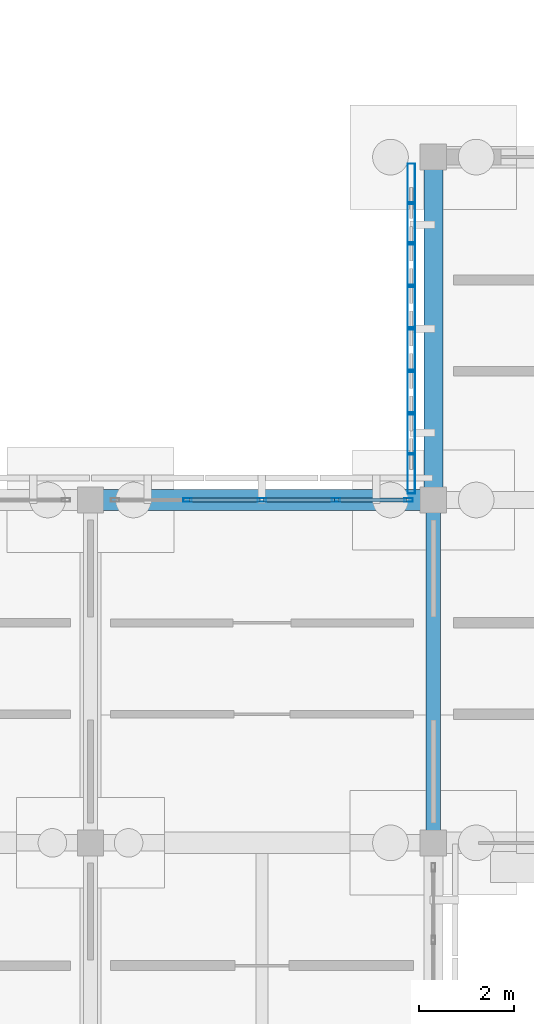
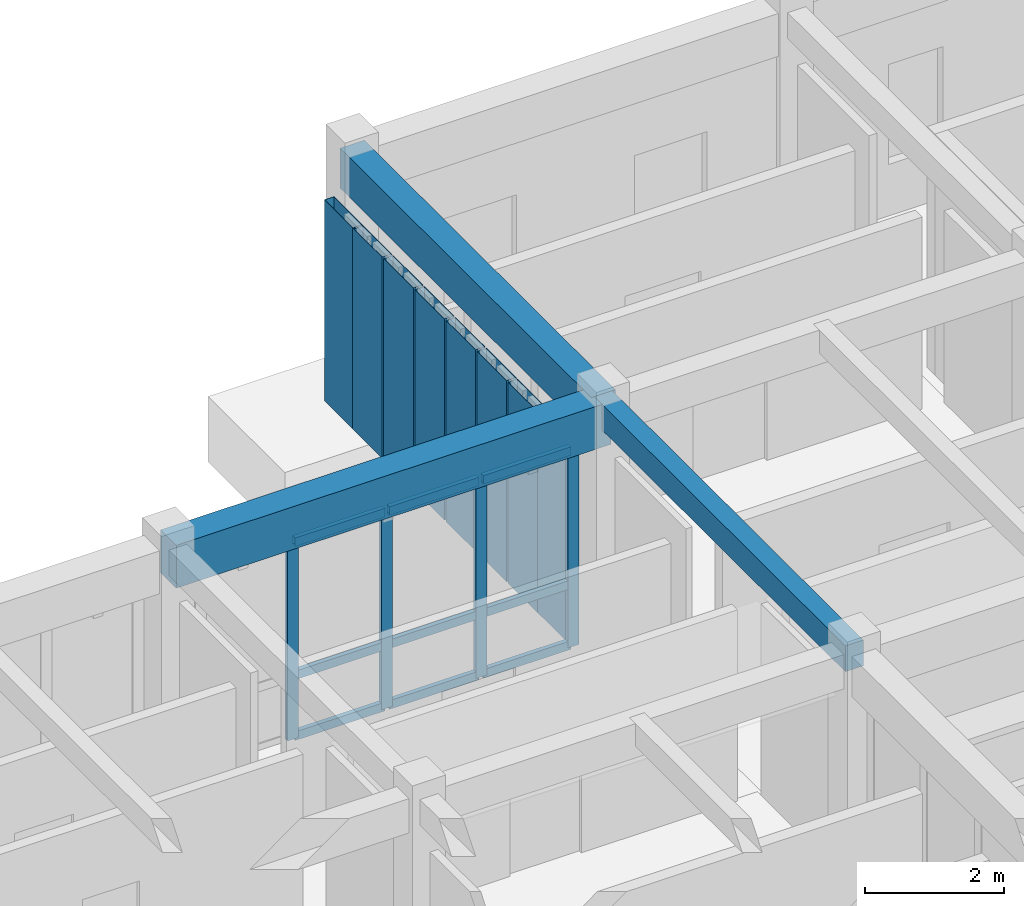
# One storey, part 35 of 111: 21 members, 3 beams, 2 elements without a shape of their own.
"""IFC4 building model written with IfcOpenShell, lengths in metres."""

from ifc_helpers import new_model, si_unit, direction, frame, origin, origin_2d, place, context, subcontext, project, spatial, rectangle, hollow_rectangle, extrude, material, material_profile, profile_set, type_object, element, aggregate, save


model = new_model("IFC4")

# Units and contexts
model_context = context("Model", 3, precision=1e-05, world=origin(), true_north=direction((0.0, 1.0)))
body_context = subcontext(model_context, "Body", "Model", "MODEL_VIEW")
ifc_project = project(units=[si_unit("LENGTHUNIT", "METRE"), si_unit("AREAUNIT", "SQUARE_METRE"), si_unit("VOLUMEUNIT", "CUBIC_METRE"), si_unit("PLANEANGLEUNIT", "RADIAN"), si_unit("MASSUNIT", "GRAM", prefix="KILO")], contexts=[model_context])

# Site, building, storey
site_placement = place(None, origin())
site = spatial("IfcSite", under=ifc_project, at=site_placement, CompositionType="ELEMENT")
building_placement = place(site_placement, origin())
building = spatial("IfcBuilding", under=site, at=building_placement, Name="Aldebral Square Health Centre", CompositionType="ELEMENT")
storey_placement = place(building_placement, origin())
storey = spatial("IfcBuildingStorey", under=building, at=storey_placement, Name="L00", CompositionType="ELEMENT", Elevation=0.0)

# Beams
ifc_material_1 = material(Name="Concrete C40/50", Category="concrete")
ifc_material_profile_1 = material_profile(ifc_material_1, rectangle(XDim=0.300048828125, YDim=0.449951171875, at=origin_2d()), Name="RC 300x450")
ifc_profile_set_1 = profile_set([ifc_material_profile_1], Name="Concrete C40/50")
beam_type_1 = type_object("IfcBeamType", Name="BM-B5", PredefinedType="BEAM", material=ifc_profile_set_1)
beam_1_placement = place(storey_placement, frame((108.0, 93.60009765625, 3.9951171875), z_axis=(0.0, 1.0, 0.0), x_axis=(-1.0, 0.0, 0.0)))
element("IfcBeam", 1, at=beam_1_placement, inside=storey, type_object=beam_type_1, Name="L00 Y-beam G16/14-15", PredefinedType="BEAM", context=body_context, shape_type="SweptSolid", body=[
    extrude(rectangle(XDim=0.300048828125, YDim=0.449951171875, at=origin_2d()), origin(), (0.0, 0.0, 1.0), 7.199951171875),
])
ifc_material_profile_2 = material_profile(ifc_material_1, rectangle(XDim=0.449951171875, YDim=0.75, at=origin_2d()), Name="RC 450x750")
ifc_profile_set_2 = profile_set([ifc_material_profile_2], Name="Concrete C40/50")
beam_type_2 = type_object("IfcBeamType", Name="BM-G2", PredefinedType="T_BEAM", material=ifc_profile_set_2)
beam_2_placement = place(storey_placement, frame((100.800048828125, 100.800048828125, 3.844970703125), z_axis=(1.0, 0.0, 0.0), x_axis=(0.0, 1.0, 0.0)))
element("IfcBeam", 2, at=beam_2_placement, inside=storey, type_object=beam_type_2, Name="L00 X-beam 15-16/G15", PredefinedType="T_BEAM", context=body_context, shape_type="SweptSolid", body=[
    extrude(rectangle(XDim=0.449951171875, YDim=0.75, at=origin_2d()), origin(), (0.0, 0.0, 1.0), 7.199951171875),
])
ifc_material_profile_3 = material_profile(ifc_material_1, rectangle(XDim=0.39990234375, YDim=0.699951171875, at=origin_2d()), Name="RC 400x700")
ifc_profile_set_3 = profile_set([ifc_material_profile_3], Name="Concrete C40/50")
beam_type_3 = type_object("IfcBeamType", Name="BM-G3", PredefinedType="T_BEAM", material=ifc_profile_set_3)
beam_3_placement = place(storey_placement, frame((108.0, 100.800048828125, 3.8701171875), z_axis=(0.0, 1.0, 0.0), x_axis=(-1.0, 0.0, 0.0)))
element("IfcBeam", 3, at=beam_3_placement, inside=storey, type_object=beam_type_3, Name="L00 Y-beam G16/15-16", PredefinedType="T_BEAM", context=body_context, shape_type="SweptSolid", body=[
    extrude(rectangle(XDim=0.39990234375, YDim=0.699951171875, at=origin_2d()), origin(), (0.0, 0.0, 1.0), 7.199951171875),
])

# Curtain wall, members
ifc_material_2 = material(Name="Aluminium and low-E solar glass", Category="aluminium")
curtain_wall_type_1 = type_object("IfcCurtainWallType", Name="CW-FIN-SYS", PredefinedType="USERDEFINED", material=ifc_material_2)
curtain_wall_1_placement = place(storey_placement, origin())
curtain_wall_1 = element("IfcCurtainWall", 4, at=curtain_wall_1_placement, inside=storey, type_object=curtain_wall_type_1, Name="L00 V5 finned curtain wall L00-V5-15-14-W", ObjectType="SOLAR_CURTAIN_WALL", PredefinedType="USERDEFINED")
ifc_material_3 = material(Name="Sienna-terracotta clad aluminium fin", Category="masonry")
ifc_material_profile_4 = material_profile(ifc_material_3, hollow_rectangle(XDim=0.159912109375, YDim=0.85009765625, WallThickness=0.006103515625, at=origin_2d()), Name="FIN 160x850x6")
ifc_profile_set_4 = profile_set([ifc_material_profile_4], Name="Sienna-terracotta clad aluminium fin")
member_type_1 = type_object("IfcMemberType", Name="CWM-FIN", PredefinedType="MULLION", material=ifc_profile_set_4)
member_1_placement = place(storey_placement, frame((107.5400390625, 107.43994140625, 0.0), z_axis=(0.0, 0.0, 1.0), x_axis=(1.0, 0.0, 0.0)))
member_1 = element("IfcMember", 5, at=member_1_placement, type_object=member_type_1, Name="CW1 mullion 1", PredefinedType="MULLION", context=body_context, shape_type="SweptSolid", body=[
    extrude(hollow_rectangle(XDim=0.159912109375, YDim=0.85009765625, WallThickness=0.006103515625, at=origin_2d()), origin(), (0.0, 0.0, 1.0), 3.52001953125),
])
member_2_placement = place(storey_placement, frame((107.5400390625, 106.628662109375, 0.0), z_axis=(0.0, 0.0, 1.0), x_axis=(1.0, 0.0, 0.0)))
member_2 = element("IfcMember", 6, at=member_2_placement, type_object=member_type_1, Name="CW1 mullion 2", PredefinedType="MULLION", context=body_context, shape_type="SweptSolid", body=[
    extrude(hollow_rectangle(XDim=0.159912109375, YDim=0.85009765625, WallThickness=0.006103515625, at=origin_2d()), origin(), (0.0, 0.0, 1.0), 3.52001953125),
])
member_3_placement = place(storey_placement, frame((107.5400390625, 105.737060546875, 0.0), z_axis=(0.0, 0.0, 1.0), x_axis=(1.0, 0.0, 0.0)))
member_3 = element("IfcMember", 7, at=member_3_placement, type_object=member_type_1, Name="CW1 mullion 3", PredefinedType="MULLION", context=body_context, shape_type="SweptSolid", body=[
    extrude(hollow_rectangle(XDim=0.159912109375, YDim=0.85009765625, WallThickness=0.006103515625, at=origin_2d()), origin(), (0.0, 0.0, 1.0), 3.52001953125),
])
member_4_placement = place(storey_placement, frame((107.5400390625, 104.845703125, 0.0), z_axis=(0.0, 0.0, 1.0), x_axis=(1.0, 0.0, 0.0)))
member_4 = element("IfcMember", 8, at=member_4_placement, type_object=member_type_1, Name="CW1 mullion 4", PredefinedType="MULLION", context=body_context, shape_type="SweptSolid", body=[
    extrude(hollow_rectangle(XDim=0.159912109375, YDim=0.85009765625, WallThickness=0.006103515625, at=origin_2d()), origin(), (0.0, 0.0, 1.0), 3.52001953125),
])
member_5_placement = place(storey_placement, frame((107.5400390625, 103.954345703125, 0.0), z_axis=(0.0, 0.0, 1.0), x_axis=(1.0, 0.0, 0.0)))
member_5 = element("IfcMember", 9, at=member_5_placement, type_object=member_type_1, Name="CW1 mullion 5", PredefinedType="MULLION", context=body_context, shape_type="SweptSolid", body=[
    extrude(hollow_rectangle(XDim=0.159912109375, YDim=0.85009765625, WallThickness=0.006103515625, at=origin_2d()), origin(), (0.0, 0.0, 1.0), 3.52001953125),
])
member_6_placement = place(storey_placement, frame((107.5400390625, 103.062744140625, 0.0), z_axis=(0.0, 0.0, 1.0), x_axis=(1.0, 0.0, 0.0)))
member_6 = element("IfcMember", 10, at=member_6_placement, type_object=member_type_1, Name="CW1 mullion 6", PredefinedType="MULLION", context=body_context, shape_type="SweptSolid", body=[
    extrude(hollow_rectangle(XDim=0.159912109375, YDim=0.85009765625, WallThickness=0.006103515625, at=origin_2d()), origin(), (0.0, 0.0, 1.0), 3.52001953125),
])
member_7_placement = place(storey_placement, frame((107.5400390625, 102.17138671875, 0.0), z_axis=(0.0, 0.0, 1.0), x_axis=(1.0, 0.0, 0.0)))
member_7 = element("IfcMember", 11, at=member_7_placement, type_object=member_type_1, Name="CW1 mullion 7", PredefinedType="MULLION", context=body_context, shape_type="SweptSolid", body=[
    extrude(hollow_rectangle(XDim=0.159912109375, YDim=0.85009765625, WallThickness=0.006103515625, at=origin_2d()), origin(), (0.0, 0.0, 1.0), 3.52001953125),
])
member_8_placement = place(storey_placement, frame((107.5400390625, 101.360107421875, 0.0), z_axis=(0.0, 0.0, 1.0), x_axis=(1.0, 0.0, 0.0)))
member_8 = element("IfcMember", 12, at=member_8_placement, type_object=member_type_1, Name="CW1 mullion 8", PredefinedType="MULLION", context=body_context, shape_type="SweptSolid", body=[
    extrude(hollow_rectangle(XDim=0.159912109375, YDim=0.85009765625, WallThickness=0.006103515625, at=origin_2d()), origin(), (0.0, 0.0, 1.0), 3.52001953125),
])
aggregate(curtain_wall_1, [member_1, member_2, member_3, member_4, member_5, member_6, member_7, member_8])

curtain_wall_type_2 = type_object("IfcCurtainWallType", Name="CW-HALL-SYS", PredefinedType="USERDEFINED", material=ifc_material_2)
curtain_wall_2_placement = place(storey_placement, origin())
curtain_wall_2 = element("IfcCurtainWall", 13, at=curtain_wall_2_placement, inside=storey, type_object=curtain_wall_type_2, Name="L00 V1 hall curtain wall L00-V1-14-13-N", ObjectType="HALL_CURTAIN_WALL", PredefinedType="USERDEFINED")
ifc_material_4 = material(Name="Anodised aluminium mullion", Category="aluminium")
ifc_material_profile_5 = material_profile(ifc_material_4, hollow_rectangle(XDim=0.074951171875, YDim=0.179931640625, WallThickness=0.00390625, at=origin_2d()), Name="CWM 75x180x4")
ifc_profile_set_5 = profile_set([ifc_material_profile_5], Name="Anodised aluminium mullion")
member_type_2 = type_object("IfcMemberType", Name="CWM-STD", PredefinedType="MULLION", material=ifc_profile_set_5)
member_9_placement = place(storey_placement, frame((107.482421875, 100.800048828125, 0.0), z_axis=(0.0, 0.0, 1.0), x_axis=(0.0, -1.0, 0.0)))
member_9 = element("IfcMember", 14, at=member_9_placement, type_object=member_type_2, Name="CW2 mullion 1", PredefinedType="MULLION", context=body_context, shape_type="SweptSolid", body=[
    extrude(hollow_rectangle(XDim=0.074951171875, YDim=0.179931640625, WallThickness=0.00390625, at=origin_2d()), origin(), (0.0, 0.0, 1.0), 3.469970703125),
])
member_10_placement = place(storey_placement, frame((105.9599609375, 100.800048828125, 0.0), z_axis=(0.0, 0.0, 1.0), x_axis=(0.0, -1.0, 0.0)))
member_10 = element("IfcMember", 15, at=member_10_placement, type_object=member_type_2, Name="CW2 mullion 2", PredefinedType="MULLION", context=body_context, shape_type="SweptSolid", body=[
    extrude(hollow_rectangle(XDim=0.074951171875, YDim=0.179931640625, WallThickness=0.00390625, at=origin_2d()), origin(), (0.0, 0.0, 1.0), 3.469970703125),
])
member_11_placement = place(storey_placement, frame((104.39990234375, 100.800048828125, 0.0), z_axis=(0.0, 0.0, 1.0), x_axis=(0.0, -1.0, 0.0)))
member_11 = element("IfcMember", 16, at=member_11_placement, type_object=member_type_2, Name="CW2 mullion 3", PredefinedType="MULLION", context=body_context, shape_type="SweptSolid", body=[
    extrude(hollow_rectangle(XDim=0.074951171875, YDim=0.179931640625, WallThickness=0.00390625, at=origin_2d()), origin(), (0.0, 0.0, 1.0), 3.469970703125),
])
member_12_placement = place(storey_placement, frame((102.840087890625, 100.800048828125, 0.0), z_axis=(0.0, 0.0, 1.0), x_axis=(0.0, -1.0, 0.0)))
member_12 = element("IfcMember", 17, at=member_12_placement, type_object=member_type_2, Name="CW2 mullion 4", PredefinedType="MULLION", context=body_context, shape_type="SweptSolid", body=[
    extrude(hollow_rectangle(XDim=0.074951171875, YDim=0.179931640625, WallThickness=0.00390625, at=origin_2d()), origin(), (0.0, 0.0, 1.0), 3.469970703125),
])
ifc_material_5 = material(Name="Anodised aluminium transom", Category="aluminium")
ifc_material_profile_6 = material_profile(ifc_material_5, hollow_rectangle(XDim=0.074951171875, YDim=0.14990234375, WallThickness=0.00390625, at=origin_2d()), Name="CWT 75x150x4")
ifc_profile_set_6 = profile_set([ifc_material_profile_6], Name="Anodised aluminium transom")
member_type_3 = type_object("IfcMemberType", Name="CWT-STD", PredefinedType="USERDEFINED", material=ifc_profile_set_6)
member_13_placement = place(storey_placement, frame((107.445068359375, 100.800048828125, 0.03759765625), z_axis=(-1.0, 0.0, 0.0), x_axis=(0.0, -1.0, 0.0)))
member_13 = element("IfcMember", 18, at=member_13_placement, type_object=member_type_3, Name="CW2 transom 1.1", ObjectType="TRANSOM", PredefinedType="USERDEFINED", context=body_context, shape_type="SweptSolid", body=[
    extrude(hollow_rectangle(XDim=0.074951171875, YDim=0.14990234375, WallThickness=0.00390625, at=origin_2d()), origin(), (0.0, 0.0, 1.0), 1.447509765625),
])
member_14_placement = place(storey_placement, frame((107.445068359375, 100.800048828125, 1.10009765625), z_axis=(-1.0, 0.0, 0.0), x_axis=(0.0, -1.0, 0.0)))
member_14 = element("IfcMember", 19, at=member_14_placement, type_object=member_type_3, Name="CW2 transom 1.2", ObjectType="TRANSOM", PredefinedType="USERDEFINED", context=body_context, shape_type="SweptSolid", body=[
    extrude(hollow_rectangle(XDim=0.074951171875, YDim=0.14990234375, WallThickness=0.00390625, at=origin_2d()), origin(), (0.0, 0.0, 1.0), 1.447509765625),
])
member_15_placement = place(storey_placement, frame((107.445068359375, 100.800048828125, 3.4326171875), z_axis=(-1.0, 0.0, 0.0), x_axis=(0.0, -1.0, 0.0)))
member_15 = element("IfcMember", 20, at=member_15_placement, type_object=member_type_3, Name="CW2 transom 1.3", ObjectType="TRANSOM", PredefinedType="USERDEFINED", context=body_context, shape_type="SweptSolid", body=[
    extrude(hollow_rectangle(XDim=0.074951171875, YDim=0.14990234375, WallThickness=0.00390625, at=origin_2d()), origin(), (0.0, 0.0, 1.0), 1.447509765625),
])
member_16_placement = place(storey_placement, frame((105.922607421875, 100.800048828125, 0.03759765625), z_axis=(-1.0, 0.0, 0.0), x_axis=(0.0, -1.0, 0.0)))
member_16 = element("IfcMember", 21, at=member_16_placement, type_object=member_type_3, Name="CW2 transom 2.1", ObjectType="TRANSOM", PredefinedType="USERDEFINED", context=body_context, shape_type="SweptSolid", body=[
    extrude(hollow_rectangle(XDim=0.074951171875, YDim=0.14990234375, WallThickness=0.00390625, at=origin_2d()), origin(), (0.0, 0.0, 1.0), 1.485107421875),
])
member_17_placement = place(storey_placement, frame((105.922607421875, 100.800048828125, 1.10009765625), z_axis=(-1.0, 0.0, 0.0), x_axis=(0.0, -1.0, 0.0)))
member_17 = element("IfcMember", 22, at=member_17_placement, type_object=member_type_3, Name="CW2 transom 2.2", ObjectType="TRANSOM", PredefinedType="USERDEFINED", context=body_context, shape_type="SweptSolid", body=[
    extrude(hollow_rectangle(XDim=0.074951171875, YDim=0.14990234375, WallThickness=0.00390625, at=origin_2d()), origin(), (0.0, 0.0, 1.0), 1.485107421875),
])
member_18_placement = place(storey_placement, frame((105.922607421875, 100.800048828125, 3.4326171875), z_axis=(-1.0, 0.0, 0.0), x_axis=(0.0, -1.0, 0.0)))
member_18 = element("IfcMember", 23, at=member_18_placement, type_object=member_type_3, Name="CW2 transom 2.3", ObjectType="TRANSOM", PredefinedType="USERDEFINED", context=body_context, shape_type="SweptSolid", body=[
    extrude(hollow_rectangle(XDim=0.074951171875, YDim=0.14990234375, WallThickness=0.00390625, at=origin_2d()), origin(), (0.0, 0.0, 1.0), 1.485107421875),
])
member_19_placement = place(storey_placement, frame((104.362548828125, 100.800048828125, 0.03759765625), z_axis=(-1.0, 0.0, 0.0), x_axis=(0.0, -1.0, 0.0)))
member_19 = element("IfcMember", 24, at=member_19_placement, type_object=member_type_3, Name="CW2 transom 3.1", ObjectType="TRANSOM", PredefinedType="USERDEFINED", context=body_context, shape_type="SweptSolid", body=[
    extrude(hollow_rectangle(XDim=0.074951171875, YDim=0.14990234375, WallThickness=0.00390625, at=origin_2d()), origin(), (0.0, 0.0, 1.0), 1.485107421875),
])
member_20_placement = place(storey_placement, frame((104.362548828125, 100.800048828125, 1.10009765625), z_axis=(-1.0, 0.0, 0.0), x_axis=(0.0, -1.0, 0.0)))
member_20 = element("IfcMember", 25, at=member_20_placement, type_object=member_type_3, Name="CW2 transom 3.2", ObjectType="TRANSOM", PredefinedType="USERDEFINED", context=body_context, shape_type="SweptSolid", body=[
    extrude(hollow_rectangle(XDim=0.074951171875, YDim=0.14990234375, WallThickness=0.00390625, at=origin_2d()), origin(), (0.0, 0.0, 1.0), 1.485107421875),
])
member_21_placement = place(storey_placement, frame((104.362548828125, 100.800048828125, 3.4326171875), z_axis=(-1.0, 0.0, 0.0), x_axis=(0.0, -1.0, 0.0)))
member_21 = element("IfcMember", 26, at=member_21_placement, type_object=member_type_3, Name="CW2 transom 3.3", ObjectType="TRANSOM", PredefinedType="USERDEFINED", context=body_context, shape_type="SweptSolid", body=[
    extrude(hollow_rectangle(XDim=0.074951171875, YDim=0.14990234375, WallThickness=0.00390625, at=origin_2d()), origin(), (0.0, 0.0, 1.0), 1.485107421875),
])
aggregate(curtain_wall_2, [member_9, member_10, member_11, member_12, member_13, member_14, member_15, member_16, member_17, member_18, member_19, member_20, member_21])

save(model, "model.ifc")
